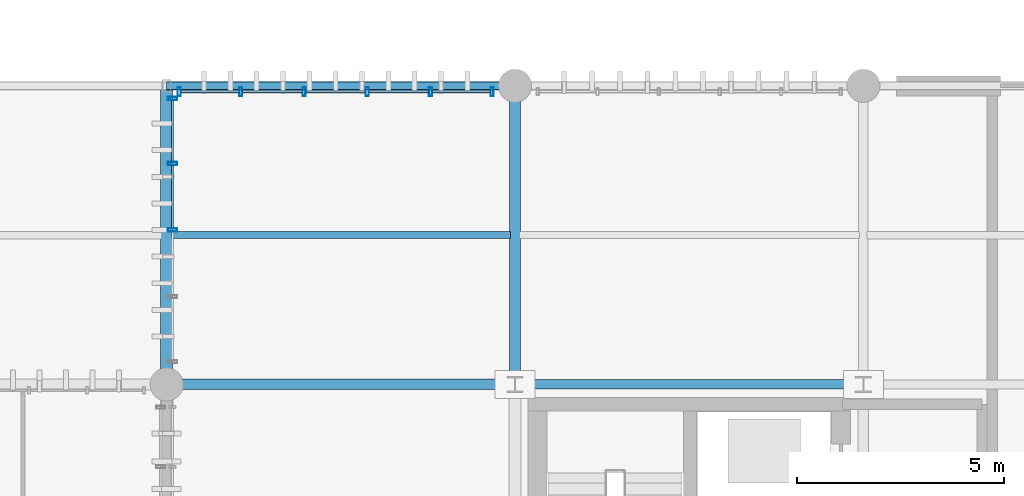
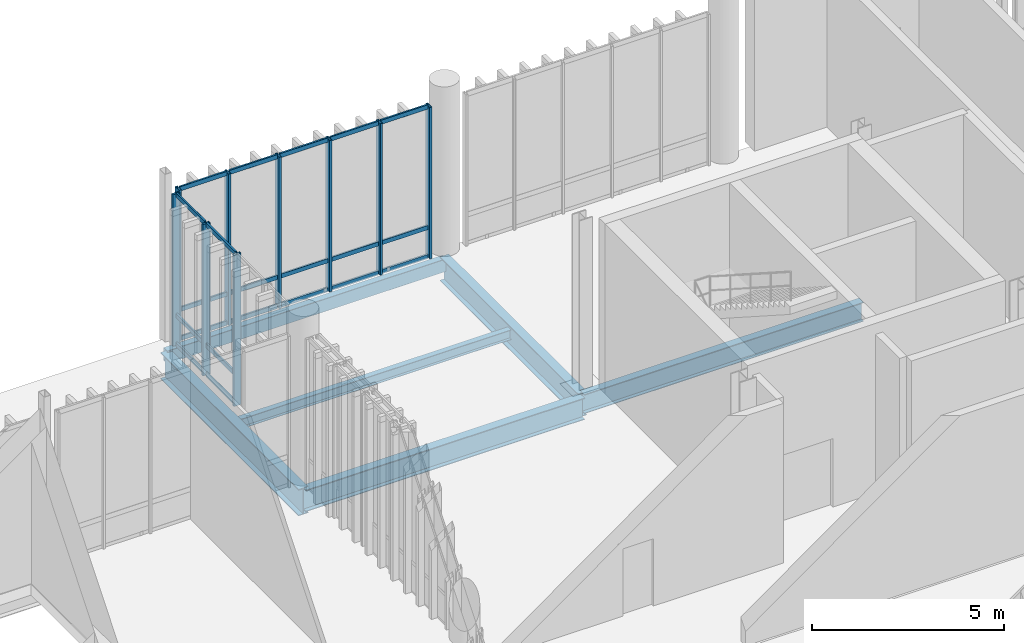
# One storey, part 39 of 112: 30 members, 6 beams, 2 elements without a shape of their own.
"""IFC4 building model written with IfcOpenShell, lengths in metres."""

from ifc_helpers import new_model, si_unit, direction, frame, origin_with_axes, origin_2d_with_axis, place, context, subcontext, project, spatial, hollow_rectangle, i_section, extrude, material, material_profile, profile_set, type_object, element, aggregate, save


model = new_model("IFC4")

# Units and contexts
model_context = context("Model", 3, precision=1e-05, world=origin_with_axes(), true_north=direction((0.0, 1.0)))
body_context = subcontext(model_context, "Body", "Model", "MODEL_VIEW")
ifc_project = project(units=[si_unit("LENGTHUNIT", "METRE"), si_unit("AREAUNIT", "SQUARE_METRE"), si_unit("VOLUMEUNIT", "CUBIC_METRE"), si_unit("PLANEANGLEUNIT", "RADIAN"), si_unit("MASSUNIT", "GRAM", prefix="KILO"), si_unit("THERMODYNAMICTEMPERATUREUNIT", "KELVIN")], contexts=[model_context])

# Site, building, storey
site_placement = place(None, origin_with_axes())
site = spatial("IfcSite", under=ifc_project, at=site_placement, CompositionType="ELEMENT")
building_placement = place(site_placement, origin_with_axes())
building = spatial("IfcBuilding", under=site, at=building_placement, Name="Montbau Bow Law Courts", CompositionType="ELEMENT")
storey_placement = place(building_placement, origin_with_axes())
storey = spatial("IfcBuildingStorey", under=building, at=storey_placement, Name="L00", CompositionType="ELEMENT", Elevation=0.0)

# Beams
ifc_material_1 = material(Name="Steel CSA G40.21 Grade 350W (350 MPa)", Category="steel")
ifc_material_profile_1 = material_profile(ifc_material_1, i_section(OverallWidth=0.293, OverallDepth=0.846, WebThickness=0.0154, FlangeThickness=0.0244, at=origin_2d_with_axis()), Name="W840X210", Category="Main", Priority=0)
ifc_profile_set_1 = profile_set([ifc_material_profile_1], Name="Steel CSA G40.21 Grade 350W (350 MPa)")
beam_type_1 = type_object("IfcBeamType", Name="B-FLR-02", PredefinedType="BEAM", material=ifc_profile_set_1)
beam_1_placement = place(None, frame((46.8, 54.6, -0.763), z_axis=(0.0, 1.0, 0.0), x_axis=(-1.0, 0.0, 0.0)))
element("IfcBeam", 1, at=beam_1_placement, inside=storey, type_object=beam_type_1, Name="BM-L00-S0273:bm2_0276", PredefinedType="BEAM", context=body_context, shape_type="SweptSolid", body=[
    extrude(i_section(OverallWidth=0.293, OverallDepth=0.846, WebThickness=0.0154, FlangeThickness=0.0244, at=origin_2d_with_axis()), origin_with_axes(), (0.0, 0.0, 1.0), 7.2),
])
ifc_material_profile_2 = material_profile(ifc_material_1, i_section(OverallWidth=0.267, OverallDepth=0.766, WebThickness=0.0149, FlangeThickness=0.0236, at=origin_2d_with_axis()), Name="W760X185", Category="Main", Priority=0)
ifc_profile_set_2 = profile_set([ifc_material_profile_2], Name="Steel CSA G40.21 Grade 350W (350 MPa)")
beam_type_2 = type_object("IfcBeamType", Name="B-FLR-03", PredefinedType="BEAM", material=ifc_profile_set_2)
beam_2_placement = place(None, frame((55.2, 54.6, -0.623), z_axis=(0.0, 1.0, 0.0), x_axis=(-1.0, 0.0, 0.0)))
element("IfcBeam", 2, at=beam_2_placement, inside=storey, type_object=beam_type_2, Name="BM-L00-S0279:bm2_0282", PredefinedType="BEAM", context=body_context, shape_type="SweptSolid", body=[
    extrude(i_section(OverallWidth=0.267, OverallDepth=0.766, WebThickness=0.0149, FlangeThickness=0.0236, at=origin_2d_with_axis()), origin_with_axes(), (0.0, 0.0, 1.0), 7.2),
])
ifc_material_profile_3 = material_profile(ifc_material_1, i_section(OverallWidth=0.254, OverallDepth=0.688, WebThickness=0.0131, FlangeThickness=0.0211, at=origin_2d_with_axis()), Name="W690X152", Category="Main", Priority=0)
ifc_profile_set_3 = profile_set([ifc_material_profile_3], Name="Steel CSA G40.21 Grade 350W (350 MPa)")
beam_type_3 = type_object("IfcBeamType", Name="B-FLR-04", PredefinedType="BEAM", material=ifc_profile_set_3)
beam_3_placement = place(None, frame((46.8, 54.6, -0.684), z_axis=(1.0, 0.0, 0.0), x_axis=(0.0, 1.0, 0.0)))
element("IfcBeam", 3, at=beam_3_placement, inside=storey, type_object=beam_type_3, Name="BM-L00-S0214:bm2_0217", PredefinedType="BEAM", context=body_context, shape_type="SweptSolid", body=[
    extrude(i_section(OverallWidth=0.254, OverallDepth=0.688, WebThickness=0.0131, FlangeThickness=0.0211, at=origin_2d_with_axis()), origin_with_axes(), (0.0, 0.0, 1.0), 8.4),
])
ifc_material_profile_4 = material_profile(ifc_material_1, i_section(OverallWidth=0.229, OverallDepth=0.612, WebThickness=0.0119, FlangeThickness=0.0196, at=origin_2d_with_axis()), Name="W610X125", Category="Main", Priority=0)
ifc_profile_set_4 = profile_set([ifc_material_profile_4], Name="Steel CSA G40.21 Grade 350W (350 MPa)")
beam_type_4 = type_object("IfcBeamType", Name="B-FLR-05", PredefinedType="BEAM", material=ifc_profile_set_4)
beam_4_placement = place(None, frame((55.2, 54.6, -0.546), z_axis=(1.0, 0.0, 0.0), x_axis=(0.0, 1.0, 0.0)))
element("IfcBeam", 4, at=beam_4_placement, inside=storey, type_object=beam_type_4, Name="BM-L00-S0215:bm2_0218", PredefinedType="BEAM", context=body_context, shape_type="SweptSolid", body=[
    extrude(i_section(OverallWidth=0.229, OverallDepth=0.612, WebThickness=0.0119, FlangeThickness=0.0196, at=origin_2d_with_axis()), origin_with_axes(), (0.0, 0.0, 1.0), 8.4),
])
ifc_material_profile_5 = material_profile(ifc_material_1, i_section(OverallWidth=0.166, OverallDepth=0.313, WebThickness=0.0066, FlangeThickness=0.0112, at=origin_2d_with_axis()), Name="W310X45", Category="Main", Priority=0)
ifc_profile_set_5 = profile_set([ifc_material_profile_5], Name="Steel CSA G40.21 Grade 350W (350 MPa)")
beam_type_5 = type_object("IfcBeamType", Name="B-JST-04", PredefinedType="JOIST", material=ifc_profile_set_5)
beam_5_placement = place(None, frame((46.922, 58.2, -0.497), z_axis=(1.0, 0.0, 0.0), x_axis=(0.0, 1.0, 0.0)))
element("IfcBeam", 5, at=beam_5_placement, inside=storey, type_object=beam_type_5, Name="JST-L00-S0051:jst2_0051", PredefinedType="JOIST", context=body_context, shape_type="SweptSolid", body=[
    extrude(i_section(OverallWidth=0.166, OverallDepth=0.313, WebThickness=0.0066, FlangeThickness=0.0112, at=origin_2d_with_axis()), origin_with_axes(), (0.0, 0.0, 1.0), 8.169),
])
ifc_material_2 = material(Name="Steel CSA G40.21 Grade 350WT (350 MPa)", Category="steel")
ifc_material_profile_6 = material_profile(ifc_material_2, hollow_rectangle(XDim=0.203, YDim=0.406, WallThickness=0.0127, InnerFilletRadius=0.0254, OuterFilletRadius=0.0127, at=origin_2d_with_axis()), Name="HSS406X203X13", Category="Main", Priority=0)
ifc_profile_set_6 = profile_set([ifc_material_profile_6], Name="Steel CSA G40.21 Grade 350WT (350 MPa)")
beam_type_6 = type_object("IfcBeamType", Name="B-SPN-01", PredefinedType="SPANDREL", material=ifc_profile_set_6)
beam_6_placement = place(None, frame((46.8, 61.8, -0.493), z_axis=(1.0, 0.0, 0.0), x_axis=(0.0, 1.0, 0.0)))
element("IfcBeam", 6, at=beam_6_placement, inside=storey, type_object=beam_type_6, Name="SPN-L00-S0227:bm2_0230", PredefinedType="SPANDREL", context=body_context, shape_type="SweptSolid", body=[
    extrude(hollow_rectangle(XDim=0.203, YDim=0.406, WallThickness=0.0127, InnerFilletRadius=0.0254, OuterFilletRadius=0.0127, at=origin_2d_with_axis()), origin_with_axes(), (0.0, 0.0, 1.0), 8.4),
])

# Curtain wall, members
ifc_material_3 = material(Name="Thermally Broken Extruded Aluminium AA 6063-T6", Category="aluminium")
curtain_wall_type = type_object("IfcCurtainWallType", Name="CW-CRM-01", PredefinedType="NOTDEFINED", material=ifc_material_3)
curtain_wall_1_placement = place(None, frame((47.068, 61.66, 0.0), z_axis=(0.0, 0.0, 1.0), x_axis=(1.0, 0.0, 0.0)))
curtain_wall_1 = element("IfcCurtainWall", 7, at=curtain_wall_1_placement, inside=storey, type_object=curtain_wall_type, Name="CW-L00-129:cw_0129", PredefinedType="NOTDEFINED")
ifc_material_profile_7 = material_profile(ifc_material_3, hollow_rectangle(XDim=0.075, YDim=0.22, WallThickness=0.005, InnerFilletRadius=0.01, OuterFilletRadius=0.005, at=origin_2d_with_axis()), Name="CWM-220X75", Category="Main", Priority=0)
ifc_profile_set_7 = profile_set([ifc_material_profile_7], Name="Thermally Broken Extruded Aluminium AA 6063-T6")
member_type_1 = type_object("IfcMemberType", Name="M-MUL-01", PredefinedType="MULLION", material=ifc_profile_set_7)
member_1_placement = place(None, frame((47.105, 61.66, 0.0), z_axis=(0.0, 0.0, 1.0), x_axis=(1.0, 0.0, 0.0)))
member_1 = element("IfcMember", 8, at=member_1_placement, type_object=member_type_1, Name="CW-L00-129-M01:cw_0129_M01", PredefinedType="MULLION", context=body_context, shape_type="SweptSolid", body=[
    extrude(hollow_rectangle(XDim=0.075, YDim=0.22, WallThickness=0.005, InnerFilletRadius=0.01, OuterFilletRadius=0.005, at=origin_2d_with_axis()), origin_with_axes(), (0.0, 0.0, 1.0), 4.82),
])
member_2_placement = place(None, frame((48.591, 61.66, 0.0), z_axis=(0.0, 0.0, 1.0), x_axis=(1.0, 0.0, 0.0)))
member_2 = element("IfcMember", 9, at=member_2_placement, type_object=member_type_1, Name="CW-L00-129-M02:cw_0129_M02", PredefinedType="MULLION", context=body_context, shape_type="SweptSolid", body=[
    extrude(hollow_rectangle(XDim=0.075, YDim=0.22, WallThickness=0.005, InnerFilletRadius=0.01, OuterFilletRadius=0.005, at=origin_2d_with_axis()), origin_with_axes(), (0.0, 0.0, 1.0), 4.82),
])
member_3_placement = place(None, frame((50.115, 61.66, 0.0), z_axis=(0.0, 0.0, 1.0), x_axis=(1.0, 0.0, 0.0)))
member_3 = element("IfcMember", 10, at=member_3_placement, type_object=member_type_1, Name="CW-L00-129-M03:cw_0129_M03", PredefinedType="MULLION", context=body_context, shape_type="SweptSolid", body=[
    extrude(hollow_rectangle(XDim=0.075, YDim=0.22, WallThickness=0.005, InnerFilletRadius=0.01, OuterFilletRadius=0.005, at=origin_2d_with_axis()), origin_with_axes(), (0.0, 0.0, 1.0), 4.82),
])
member_4_placement = place(None, frame((51.638, 61.66, 0.0), z_axis=(0.0, 0.0, 1.0), x_axis=(1.0, 0.0, 0.0)))
member_4 = element("IfcMember", 11, at=member_4_placement, type_object=member_type_1, Name="CW-L00-129-M04:cw_0129_M04", PredefinedType="MULLION", context=body_context, shape_type="SweptSolid", body=[
    extrude(hollow_rectangle(XDim=0.075, YDim=0.22, WallThickness=0.005, InnerFilletRadius=0.01, OuterFilletRadius=0.005, at=origin_2d_with_axis()), origin_with_axes(), (0.0, 0.0, 1.0), 4.82),
])
member_5_placement = place(None, frame((53.162, 61.66, 0.0), z_axis=(0.0, 0.0, 1.0), x_axis=(1.0, 0.0, 0.0)))
member_5 = element("IfcMember", 12, at=member_5_placement, type_object=member_type_1, Name="CW-L00-129-M05:cw_0129_M05", PredefinedType="MULLION", context=body_context, shape_type="SweptSolid", body=[
    extrude(hollow_rectangle(XDim=0.075, YDim=0.22, WallThickness=0.005, InnerFilletRadius=0.01, OuterFilletRadius=0.005, at=origin_2d_with_axis()), origin_with_axes(), (0.0, 0.0, 1.0), 4.82),
])
member_6_placement = place(None, frame((54.648, 61.66, 0.0), z_axis=(0.0, 0.0, 1.0), x_axis=(1.0, 0.0, 0.0)))
member_6 = element("IfcMember", 13, at=member_6_placement, type_object=member_type_1, Name="CW-L00-129-M06:cw_0129_M06", PredefinedType="MULLION", context=body_context, shape_type="SweptSolid", body=[
    extrude(hollow_rectangle(XDim=0.075, YDim=0.22, WallThickness=0.005, InnerFilletRadius=0.01, OuterFilletRadius=0.005, at=origin_2d_with_axis()), origin_with_axes(), (0.0, 0.0, 1.0), 4.82),
])

curtain_wall_2_placement = place(None, frame((46.94, 55.115, 0.0), z_axis=(0.0, 0.0, 1.0), x_axis=(1.0, 0.0, 0.0)))
curtain_wall_2 = element("IfcCurtainWall", 14, at=curtain_wall_2_placement, inside=storey, type_object=curtain_wall_type, Name="CW-L00-135:cw_0135", PredefinedType="NOTDEFINED")
member_7_placement = place(None, frame((46.94, 58.323, 0.0), z_axis=(0.0, 0.0, 1.0), x_axis=(0.0, 1.0, 0.0)))
member_7 = element("IfcMember", 15, at=member_7_placement, type_object=member_type_1, Name="CW-L00-135-M03:cw_0135_M03", PredefinedType="MULLION", context=body_context, shape_type="SweptSolid", body=[
    extrude(hollow_rectangle(XDim=0.075, YDim=0.22, WallThickness=0.005, InnerFilletRadius=0.01, OuterFilletRadius=0.005, at=origin_2d_with_axis()), origin_with_axes(), (0.0, 0.0, 1.0), 4.82),
])
member_8_placement = place(None, frame((46.94, 59.928, 0.0), z_axis=(0.0, 0.0, 1.0), x_axis=(0.0, 1.0, 0.0)))
member_8 = element("IfcMember", 16, at=member_8_placement, type_object=member_type_1, Name="CW-L00-135-M04:cw_0135_M04", PredefinedType="MULLION", context=body_context, shape_type="SweptSolid", body=[
    extrude(hollow_rectangle(XDim=0.075, YDim=0.22, WallThickness=0.005, InnerFilletRadius=0.01, OuterFilletRadius=0.005, at=origin_2d_with_axis()), origin_with_axes(), (0.0, 0.0, 1.0), 4.82),
])
member_9_placement = place(None, frame((46.94, 61.494, 0.0), z_axis=(0.0, 0.0, 1.0), x_axis=(0.0, 1.0, 0.0)))
member_9 = element("IfcMember", 17, at=member_9_placement, type_object=member_type_1, Name="CW-L00-135-M05:cw_0135_M05", PredefinedType="MULLION", context=body_context, shape_type="SweptSolid", body=[
    extrude(hollow_rectangle(XDim=0.075, YDim=0.22, WallThickness=0.005, InnerFilletRadius=0.01, OuterFilletRadius=0.005, at=origin_2d_with_axis()), origin_with_axes(), (0.0, 0.0, 1.0), 4.82),
])

# Member
ifc_material_profile_8 = material_profile(ifc_material_3, hollow_rectangle(XDim=0.055, YDim=0.14, WallThickness=0.004, InnerFilletRadius=0.008, OuterFilletRadius=0.004, at=origin_2d_with_axis()), Name="CWT-140X55", Category="Main", Priority=0)
ifc_profile_set_8 = profile_set([ifc_material_profile_8], Name="Thermally Broken Extruded Aluminium AA 6063-T6")
member_type_2 = type_object("IfcMemberType", Name="M-TRN-02", PredefinedType="USERDEFINED", material=ifc_profile_set_8)
member_10_placement = place(None, frame((47.144, 61.66, 0.028), z_axis=(1.0, 0.0, 0.0), x_axis=(0.0, 1.0, 0.0)))
member_10 = element("IfcMember", 18, at=member_10_placement, type_object=member_type_2, Name="CW-L00-129-T01-1:cw_0129_T01_1", ObjectType="TRANSOM", PredefinedType="USERDEFINED", context=body_context, shape_type="SweptSolid", body=[
    extrude(hollow_rectangle(XDim=0.055, YDim=0.14, WallThickness=0.004, InnerFilletRadius=0.008, OuterFilletRadius=0.004, at=origin_2d_with_axis()), origin_with_axes(), (0.0, 0.0, 1.0), 1.407),
])

member_11_placement = place(None, frame((47.144, 61.66, 0.95), z_axis=(1.0, 0.0, 0.0), x_axis=(0.0, 1.0, 0.0)))
member_11 = element("IfcMember", 19, at=member_11_placement, type_object=member_type_2, Name="CW-L00-129-T01-2:cw_0129_T01_2", ObjectType="TRANSOM", PredefinedType="USERDEFINED", context=body_context, shape_type="SweptSolid", body=[
    extrude(hollow_rectangle(XDim=0.055, YDim=0.14, WallThickness=0.004, InnerFilletRadius=0.008, OuterFilletRadius=0.004, at=origin_2d_with_axis()), origin_with_axes(), (0.0, 0.0, 1.0), 1.407),
])

member_12_placement = place(None, frame((47.144, 61.66, 4.793), z_axis=(1.0, 0.0, 0.0), x_axis=(0.0, 1.0, 0.0)))
member_12 = element("IfcMember", 20, at=member_12_placement, type_object=member_type_2, Name="CW-L00-129-T01-3:cw_0129_T01_3", ObjectType="TRANSOM", PredefinedType="USERDEFINED", context=body_context, shape_type="SweptSolid", body=[
    extrude(hollow_rectangle(XDim=0.055, YDim=0.14, WallThickness=0.004, InnerFilletRadius=0.008, OuterFilletRadius=0.004, at=origin_2d_with_axis()), origin_with_axes(), (0.0, 0.0, 1.0), 1.407),
])

member_13_placement = place(None, frame((48.63, 61.66, 0.028), z_axis=(1.0, 0.0, 0.0), x_axis=(0.0, 1.0, 0.0)))
member_13 = element("IfcMember", 21, at=member_13_placement, type_object=member_type_2, Name="CW-L00-129-T02-1:cw_0129_T02_1", ObjectType="TRANSOM", PredefinedType="USERDEFINED", context=body_context, shape_type="SweptSolid", body=[
    extrude(hollow_rectangle(XDim=0.055, YDim=0.14, WallThickness=0.004, InnerFilletRadius=0.008, OuterFilletRadius=0.004, at=origin_2d_with_axis()), origin_with_axes(), (0.0, 0.0, 1.0), 1.446),
])

member_14_placement = place(None, frame((48.63, 61.66, 0.95), z_axis=(1.0, 0.0, 0.0), x_axis=(0.0, 1.0, 0.0)))
member_14 = element("IfcMember", 22, at=member_14_placement, type_object=member_type_2, Name="CW-L00-129-T02-2:cw_0129_T02_2", ObjectType="TRANSOM", PredefinedType="USERDEFINED", context=body_context, shape_type="SweptSolid", body=[
    extrude(hollow_rectangle(XDim=0.055, YDim=0.14, WallThickness=0.004, InnerFilletRadius=0.008, OuterFilletRadius=0.004, at=origin_2d_with_axis()), origin_with_axes(), (0.0, 0.0, 1.0), 1.446),
])

member_15_placement = place(None, frame((48.63, 61.66, 4.793), z_axis=(1.0, 0.0, 0.0), x_axis=(0.0, 1.0, 0.0)))
member_15 = element("IfcMember", 23, at=member_15_placement, type_object=member_type_2, Name="CW-L00-129-T02-3:cw_0129_T02_3", ObjectType="TRANSOM", PredefinedType="USERDEFINED", context=body_context, shape_type="SweptSolid", body=[
    extrude(hollow_rectangle(XDim=0.055, YDim=0.14, WallThickness=0.004, InnerFilletRadius=0.008, OuterFilletRadius=0.004, at=origin_2d_with_axis()), origin_with_axes(), (0.0, 0.0, 1.0), 1.446),
])

member_16_placement = place(None, frame((50.155, 61.66, 0.028), z_axis=(1.0, 0.0, 0.0), x_axis=(0.0, 1.0, 0.0)))
member_16 = element("IfcMember", 24, at=member_16_placement, type_object=member_type_2, Name="CW-L00-129-T03-1:cw_0129_T03_1", ObjectType="TRANSOM", PredefinedType="USERDEFINED", context=body_context, shape_type="SweptSolid", body=[
    extrude(hollow_rectangle(XDim=0.055, YDim=0.14, WallThickness=0.004, InnerFilletRadius=0.008, OuterFilletRadius=0.004, at=origin_2d_with_axis()), origin_with_axes(), (0.0, 0.0, 1.0), 1.444),
])

member_17_placement = place(None, frame((50.155, 61.66, 0.95), z_axis=(1.0, 0.0, 0.0), x_axis=(0.0, 1.0, 0.0)))
member_17 = element("IfcMember", 25, at=member_17_placement, type_object=member_type_2, Name="CW-L00-129-T03-2:cw_0129_T03_2", ObjectType="TRANSOM", PredefinedType="USERDEFINED", context=body_context, shape_type="SweptSolid", body=[
    extrude(hollow_rectangle(XDim=0.055, YDim=0.14, WallThickness=0.004, InnerFilletRadius=0.008, OuterFilletRadius=0.004, at=origin_2d_with_axis()), origin_with_axes(), (0.0, 0.0, 1.0), 1.444),
])

member_18_placement = place(None, frame((50.155, 61.66, 4.793), z_axis=(1.0, 0.0, 0.0), x_axis=(0.0, 1.0, 0.0)))
member_18 = element("IfcMember", 26, at=member_18_placement, type_object=member_type_2, Name="CW-L00-129-T03-3:cw_0129_T03_3", ObjectType="TRANSOM", PredefinedType="USERDEFINED", context=body_context, shape_type="SweptSolid", body=[
    extrude(hollow_rectangle(XDim=0.055, YDim=0.14, WallThickness=0.004, InnerFilletRadius=0.008, OuterFilletRadius=0.004, at=origin_2d_with_axis()), origin_with_axes(), (0.0, 0.0, 1.0), 1.444),
])

member_19_placement = place(None, frame((51.677, 61.66, 0.028), z_axis=(1.0, 0.0, 0.0), x_axis=(0.0, 1.0, 0.0)))
member_19 = element("IfcMember", 27, at=member_19_placement, type_object=member_type_2, Name="CW-L00-129-T04-1:cw_0129_T04_1", ObjectType="TRANSOM", PredefinedType="USERDEFINED", context=body_context, shape_type="SweptSolid", body=[
    extrude(hollow_rectangle(XDim=0.055, YDim=0.14, WallThickness=0.004, InnerFilletRadius=0.008, OuterFilletRadius=0.004, at=origin_2d_with_axis()), origin_with_axes(), (0.0, 0.0, 1.0), 1.446),
])

member_20_placement = place(None, frame((51.677, 61.66, 0.95), z_axis=(1.0, 0.0, 0.0), x_axis=(0.0, 1.0, 0.0)))
member_20 = element("IfcMember", 28, at=member_20_placement, type_object=member_type_2, Name="CW-L00-129-T04-2:cw_0129_T04_2", ObjectType="TRANSOM", PredefinedType="USERDEFINED", context=body_context, shape_type="SweptSolid", body=[
    extrude(hollow_rectangle(XDim=0.055, YDim=0.14, WallThickness=0.004, InnerFilletRadius=0.008, OuterFilletRadius=0.004, at=origin_2d_with_axis()), origin_with_axes(), (0.0, 0.0, 1.0), 1.446),
])

member_21_placement = place(None, frame((51.677, 61.66, 4.793), z_axis=(1.0, 0.0, 0.0), x_axis=(0.0, 1.0, 0.0)))
member_21 = element("IfcMember", 29, at=member_21_placement, type_object=member_type_2, Name="CW-L00-129-T04-3:cw_0129_T04_3", ObjectType="TRANSOM", PredefinedType="USERDEFINED", context=body_context, shape_type="SweptSolid", body=[
    extrude(hollow_rectangle(XDim=0.055, YDim=0.14, WallThickness=0.004, InnerFilletRadius=0.008, OuterFilletRadius=0.004, at=origin_2d_with_axis()), origin_with_axes(), (0.0, 0.0, 1.0), 1.446),
])

member_22_placement = place(None, frame((53.201, 61.66, 0.028), z_axis=(1.0, 0.0, 0.0), x_axis=(0.0, 1.0, 0.0)))
member_22 = element("IfcMember", 30, at=member_22_placement, type_object=member_type_2, Name="CW-L00-129-T05-1:cw_0129_T05_1", ObjectType="TRANSOM", PredefinedType="USERDEFINED", context=body_context, shape_type="SweptSolid", body=[
    extrude(hollow_rectangle(XDim=0.055, YDim=0.14, WallThickness=0.004, InnerFilletRadius=0.008, OuterFilletRadius=0.004, at=origin_2d_with_axis()), origin_with_axes(), (0.0, 0.0, 1.0), 1.408),
])

member_23_placement = place(None, frame((53.201, 61.66, 0.95), z_axis=(1.0, 0.0, 0.0), x_axis=(0.0, 1.0, 0.0)))
member_23 = element("IfcMember", 31, at=member_23_placement, type_object=member_type_2, Name="CW-L00-129-T05-2:cw_0129_T05_2", ObjectType="TRANSOM", PredefinedType="USERDEFINED", context=body_context, shape_type="SweptSolid", body=[
    extrude(hollow_rectangle(XDim=0.055, YDim=0.14, WallThickness=0.004, InnerFilletRadius=0.008, OuterFilletRadius=0.004, at=origin_2d_with_axis()), origin_with_axes(), (0.0, 0.0, 1.0), 1.408),
])

member_24_placement = place(None, frame((53.201, 61.66, 4.793), z_axis=(1.0, 0.0, 0.0), x_axis=(0.0, 1.0, 0.0)))
member_24 = element("IfcMember", 32, at=member_24_placement, type_object=member_type_2, Name="CW-L00-129-T05-3:cw_0129_T05_3", ObjectType="TRANSOM", PredefinedType="USERDEFINED", context=body_context, shape_type="SweptSolid", body=[
    extrude(hollow_rectangle(XDim=0.055, YDim=0.14, WallThickness=0.004, InnerFilletRadius=0.008, OuterFilletRadius=0.004, at=origin_2d_with_axis()), origin_with_axes(), (0.0, 0.0, 1.0), 1.408),
])

aggregate(curtain_wall_1, [member_1, member_2, member_3, member_4, member_5, member_6, member_10, member_11, member_12, member_13, member_14, member_15, member_16, member_17, member_18, member_19, member_20, member_21, member_22, member_23, member_24])

member_25_placement = place(None, frame((46.94, 58.363, 0.028), z_axis=(0.0, 1.0, 0.0), x_axis=(-1.0, 0.0, 0.0)))
member_25 = element("IfcMember", 33, at=member_25_placement, type_object=member_type_2, Name="CW-L00-135-T03-1:cw_0135_T03_1", ObjectType="TRANSOM", PredefinedType="USERDEFINED", context=body_context, shape_type="SweptSolid", body=[
    extrude(hollow_rectangle(XDim=0.055, YDim=0.14, WallThickness=0.004, InnerFilletRadius=0.008, OuterFilletRadius=0.004, at=origin_2d_with_axis()), origin_with_axes(), (0.0, 0.0, 1.0), 1.526),
])

member_26_placement = place(None, frame((46.94, 58.363, 0.95), z_axis=(0.0, 1.0, 0.0), x_axis=(-1.0, 0.0, 0.0)))
member_26 = element("IfcMember", 34, at=member_26_placement, type_object=member_type_2, Name="CW-L00-135-T03-2:cw_0135_T03_2", ObjectType="TRANSOM", PredefinedType="USERDEFINED", context=body_context, shape_type="SweptSolid", body=[
    extrude(hollow_rectangle(XDim=0.055, YDim=0.14, WallThickness=0.004, InnerFilletRadius=0.008, OuterFilletRadius=0.004, at=origin_2d_with_axis()), origin_with_axes(), (0.0, 0.0, 1.0), 1.526),
])

member_27_placement = place(None, frame((46.94, 58.363, 4.793), z_axis=(0.0, 1.0, 0.0), x_axis=(-1.0, 0.0, 0.0)))
member_27 = element("IfcMember", 35, at=member_27_placement, type_object=member_type_2, Name="CW-L00-135-T03-3:cw_0135_T03_3", ObjectType="TRANSOM", PredefinedType="USERDEFINED", context=body_context, shape_type="SweptSolid", body=[
    extrude(hollow_rectangle(XDim=0.055, YDim=0.14, WallThickness=0.004, InnerFilletRadius=0.008, OuterFilletRadius=0.004, at=origin_2d_with_axis()), origin_with_axes(), (0.0, 0.0, 1.0), 1.526),
])

member_28_placement = place(None, frame((46.94, 59.967, 0.028), z_axis=(0.0, 1.0, 0.0), x_axis=(-1.0, 0.0, 0.0)))
member_28 = element("IfcMember", 36, at=member_28_placement, type_object=member_type_2, Name="CW-L00-135-T04-1:cw_0135_T04_1", ObjectType="TRANSOM", PredefinedType="USERDEFINED", context=body_context, shape_type="SweptSolid", body=[
    extrude(hollow_rectangle(XDim=0.055, YDim=0.14, WallThickness=0.004, InnerFilletRadius=0.008, OuterFilletRadius=0.004, at=origin_2d_with_axis()), origin_with_axes(), (0.0, 0.0, 1.0), 1.488),
])

member_29_placement = place(None, frame((46.94, 59.967, 0.95), z_axis=(0.0, 1.0, 0.0), x_axis=(-1.0, 0.0, 0.0)))
member_29 = element("IfcMember", 37, at=member_29_placement, type_object=member_type_2, Name="CW-L00-135-T04-2:cw_0135_T04_2", ObjectType="TRANSOM", PredefinedType="USERDEFINED", context=body_context, shape_type="SweptSolid", body=[
    extrude(hollow_rectangle(XDim=0.055, YDim=0.14, WallThickness=0.004, InnerFilletRadius=0.008, OuterFilletRadius=0.004, at=origin_2d_with_axis()), origin_with_axes(), (0.0, 0.0, 1.0), 1.488),
])

member_30_placement = place(None, frame((46.94, 59.967, 4.793), z_axis=(0.0, 1.0, 0.0), x_axis=(-1.0, 0.0, 0.0)))
member_30 = element("IfcMember", 38, at=member_30_placement, type_object=member_type_2, Name="CW-L00-135-T04-3:cw_0135_T04_3", ObjectType="TRANSOM", PredefinedType="USERDEFINED", context=body_context, shape_type="SweptSolid", body=[
    extrude(hollow_rectangle(XDim=0.055, YDim=0.14, WallThickness=0.004, InnerFilletRadius=0.008, OuterFilletRadius=0.004, at=origin_2d_with_axis()), origin_with_axes(), (0.0, 0.0, 1.0), 1.488),
])

aggregate(curtain_wall_2, [member_7, member_8, member_9, member_25, member_26, member_27, member_28, member_29, member_30])

save(model, "model.ifc")
